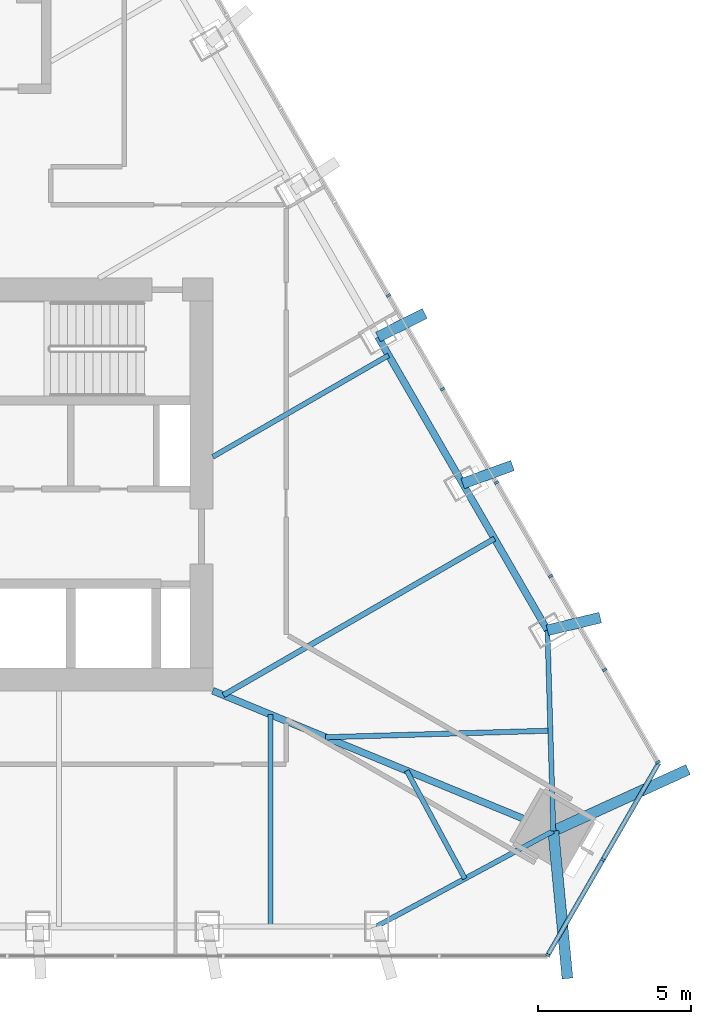
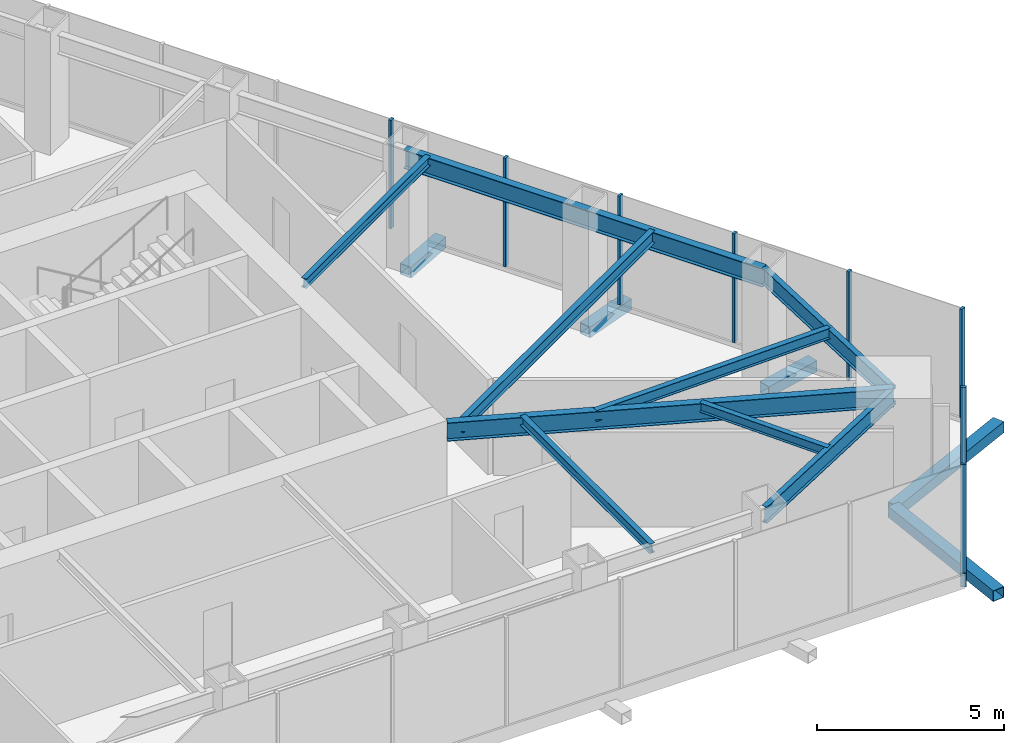
# One storey, part 7 of 14: 14 members, 9 beams, 2 elements without a shape of their own.
"""IFC4 building model written with IfcOpenShell, lengths in metres."""

from ifc_helpers import new_model, si_unit, direction, frame, origin, origin_2d, place, context, subcontext, project, spatial, rectangle, hollow_rectangle, i_section, extrude, material, layer, layer_set, material_profile, profile_set, type_object, element, aggregate, save


model = new_model("IFC4")

# Units and contexts
model_context = context("Model", 3, precision=1e-05, world=origin(), true_north=direction((0.0, 1.0)))
body_context = subcontext(model_context, "Body", "Model", "MODEL_VIEW")
ifc_project = project(units=[si_unit("LENGTHUNIT", "METRE"), si_unit("AREAUNIT", "SQUARE_METRE"), si_unit("VOLUMEUNIT", "CUBIC_METRE"), si_unit("PLANEANGLEUNIT", "RADIAN"), si_unit("MASSUNIT", "GRAM", prefix="KILO")], contexts=[model_context])

# Site, building, storey
site_placement = place(None, origin())
site = spatial("IfcSite", under=ifc_project, at=site_placement, CompositionType="ELEMENT")
building_placement = place(site_placement, origin())
building = spatial("IfcBuilding", under=site, at=building_placement, Name="Firuza Gate Tower and Library", CompositionType="ELEMENT")
storey_placement = place(building_placement, frame((0.0, 0.0, 331.60009765625)))
storey = spatial("IfcBuildingStorey", under=building, at=storey_placement, Name="L81", CompositionType="ELEMENT", Elevation=331.60009765625)

# Curtain wall, members
ifc_material_1 = material(Name="Aluminium 6063-T6", Category="aluminium")
ifc_layer = layer(ifc_material_1, 0.14990234375)
ifc_layer_set = layer_set([ifc_layer], Name="Ceramic screen wall, crown plant")
curtain_wall_type = type_object("IfcCurtainWallType", Name="Ceramic screen wall, crown plant", PredefinedType="NOTDEFINED", material=ifc_layer_set)
placement = place(storey_placement, origin())
curtain_wall_1 = element("IfcCurtainWall", 1, at=placement, inside=storey, type_object=curtain_wall_type, Name="CW6 L81 SE", PredefinedType="NOTDEFINED")
ifc_material_2 = material(Name="Aluminium 6063-T6", Category="aluminium")
ifc_material_profile_1 = material_profile(ifc_material_2, rectangle(XDim=0.14990234375, YDim=0.080078125, at=origin_2d()))
ifc_profile_set_1 = profile_set([ifc_material_profile_1], Name="Aluminium 6063-T6")
member_type_1 = type_object("IfcMemberType", Name="Curtain wall mullion 80x150", PredefinedType="MULLION", material=ifc_profile_set_1)
member_1_placement = place(storey_placement, frame((94.46337890625, 59.60205078125, 0.14990234375), z_axis=(0.0, 0.0, 1.0), x_axis=(-0.866025403784, 0.5, 0.0)))
member_1 = element("IfcMember", 2, at=member_1_placement, type_object=member_type_1, Name="Mullion", PredefinedType="MULLION", context=body_context, shape_type="SweptSolid", body=[
    extrude(rectangle(XDim=0.14990234375, YDim=0.080078125, at=origin_2d()), origin(), (0.0, 0.0, 1.0), 3.550048828125),
])
member_2_placement = place(storey_placement, frame((96.264892578125, 62.72265625, 0.14990234375), z_axis=(0.0, 0.0, 1.0), x_axis=(-0.866025403784, 0.5, 0.0)))
member_2 = element("IfcMember", 3, at=member_2_placement, type_object=member_type_1, Name="Mullion", PredefinedType="MULLION", context=body_context, shape_type="SweptSolid", body=[
    extrude(rectangle(XDim=0.14990234375, YDim=0.080078125, at=origin_2d()), origin(), (0.0, 0.0, 1.0), 3.550048828125),
])

curtain_wall_2 = element("IfcCurtainWall", 4, at=placement, inside=storey, type_object=curtain_wall_type, Name="CW6 L81 E", PredefinedType="NOTDEFINED")
member_3_placement = place(storey_placement, frame((98.066650390625, 65.91259765625, 0.14990234375), z_axis=(0.0, 0.0, 1.0), x_axis=(-0.866025403784, -0.5, 0.0)))
member_3 = element("IfcMember", 5, at=member_3_placement, type_object=member_type_1, Name="Mullion", PredefinedType="MULLION", context=body_context, shape_type="SweptSolid", body=[
    extrude(rectangle(XDim=0.14990234375, YDim=0.080078125, at=origin_2d()), origin(), (0.0, 0.0, 1.0), 3.550048828125),
])
member_4_placement = place(storey_placement, frame((96.319091796875, 68.939453125, 0.14990234375), z_axis=(0.0, 0.0, 1.0), x_axis=(-0.866025403784, -0.5, 0.0)))
member_4 = element("IfcMember", 6, at=member_4_placement, type_object=member_type_1, Name="Mullion", PredefinedType="MULLION", context=body_context, shape_type="SweptSolid", body=[
    extrude(rectangle(XDim=0.14990234375, YDim=0.080078125, at=origin_2d()), origin(), (0.0, 0.0, 1.0), 3.550048828125),
])
member_5_placement = place(storey_placement, frame((94.551513671875, 72.0009765625, 0.14990234375), z_axis=(0.0, 0.0, 1.0), x_axis=(-0.866025403784, -0.5, 0.0)))
member_5 = element("IfcMember", 7, at=member_5_placement, type_object=member_type_1, Name="Mullion", PredefinedType="MULLION", context=body_context, shape_type="SweptSolid", body=[
    extrude(rectangle(XDim=0.14990234375, YDim=0.080078125, at=origin_2d()), origin(), (0.0, 0.0, 1.0), 3.550048828125),
])
member_6_placement = place(storey_placement, frame((92.783935546875, 75.0625, 0.14990234375), z_axis=(0.0, 0.0, 1.0), x_axis=(-0.866025403784, -0.5, 0.0)))
member_6 = element("IfcMember", 8, at=member_6_placement, type_object=member_type_1, Name="Mullion", PredefinedType="MULLION", context=body_context, shape_type="SweptSolid", body=[
    extrude(rectangle(XDim=0.14990234375, YDim=0.080078125, at=origin_2d()), origin(), (0.0, 0.0, 1.0), 3.550048828125),
])
member_7_placement = place(storey_placement, frame((91.016357421875, 78.1240234375, 0.14990234375), z_axis=(0.0, 0.0, 1.0), x_axis=(-0.866025403784, -0.5, 0.0)))
member_7 = element("IfcMember", 9, at=member_7_placement, type_object=member_type_1, Name="Mullion", PredefinedType="MULLION", context=body_context, shape_type="SweptSolid", body=[
    extrude(rectangle(XDim=0.14990234375, YDim=0.080078125, at=origin_2d()), origin(), (0.0, 0.0, 1.0), 3.550048828125),
])
member_8_placement = place(storey_placement, frame((89.248779296875, 81.185546875, 0.14990234375), z_axis=(0.0, 0.0, 1.0), x_axis=(-0.866025403784, -0.5, 0.0)))
member_8 = element("IfcMember", 10, at=member_8_placement, type_object=member_type_1, Name="Mullion", PredefinedType="MULLION", context=body_context, shape_type="SweptSolid", body=[
    extrude(rectangle(XDim=0.14990234375, YDim=0.080078125, at=origin_2d()), origin(), (0.0, 0.0, 1.0), 3.550048828125),
])
aggregate(curtain_wall_2, [member_3, member_4, member_5, member_6, member_7, member_8])

# Member
ifc_material_3 = material(Name="Aluminium 6063-T6", Category="aluminium")
ifc_material_profile_2 = material_profile(ifc_material_3, rectangle(XDim=0.14990234375, YDim=0.449951171875, at=origin_2d()))
ifc_profile_set_2 = profile_set([ifc_material_profile_2], Name="Aluminium 6063-T6")
member_type_2 = type_object("IfcMemberType", Name="Curtain wall transom 450x150", PredefinedType="USERDEFINED", material=ifc_profile_set_2)
member_9_placement = place(storey_placement, frame((94.443359375, 59.5673828125, -0.0751953125), z_axis=(0.499991211061, 0.866030478021, 0.0), x_axis=(-0.866030478021, 0.499991211061, 0.0)))
member_9 = element("IfcMember", 11, at=member_9_placement, type_object=member_type_2, Name="Transom", ObjectType="TRANSOM", PredefinedType="USERDEFINED", context=body_context, shape_type="SweptSolid", body=[
    extrude(rectangle(XDim=0.14990234375, YDim=0.449951171875, at=origin_2d()), origin(), (0.0, 0.0, 1.0), 7.286865234375),
])

aggregate(curtain_wall_1, [member_1, member_2, member_9])

# Members
ifc_material_4 = material(Name="Steel S355", Category="steel")
ifc_material_profile_3 = material_profile(ifc_material_4, hollow_rectangle(XDim=0.355712890625, YDim=0.355712890625, WallThickness=0.014892578125, at=origin_2d()))
ifc_profile_set_3 = profile_set([ifc_material_profile_3], Name="Steel S355")
member_type_3 = type_object("IfcMemberType", Name="HSS356x356x16 Lattice node tie", PredefinedType="BRACE", material=ifc_profile_set_3)
member_10_placement = place(storey_placement, frame((88.90625, 79.82861328125, -0.320068359375), z_axis=(0.893941059043, 0.448184541185, 0.0), x_axis=(-0.448184541185, 0.893941059043, 0.0)))
element("IfcMember", 12, at=member_10_placement, inside=storey, type_object=member_type_3, Name="Lattice node tie E L81 605", PredefinedType="BRACE", context=body_context, shape_type="SweptSolid", body=[
    extrude(hollow_rectangle(XDim=0.355712890625, YDim=0.355712890625, WallThickness=0.014892578125, at=origin_2d()), origin(), (0.0, 0.0, 1.0), 1.70947265625),
])
member_11_placement = place(storey_placement, frame((91.677734375, 75.0283203125, -0.320068359375), z_axis=(0.939830438322, 0.341641255124, 0.0), x_axis=(-0.341641255124, 0.939830438322, 0.0)))
element("IfcMember", 13, at=member_11_placement, inside=storey, type_object=member_type_3, Name="Lattice node tie E L81 606", PredefinedType="BRACE", context=body_context, shape_type="SweptSolid", body=[
    extrude(hollow_rectangle(XDim=0.355712890625, YDim=0.355712890625, WallThickness=0.014892578125, at=origin_2d()), origin(), (0.0, 0.0, 1.0), 1.73291015625),
])
member_12_placement = place(storey_placement, frame((94.44921875, 70.22802734375, -0.320068359375), z_axis=(0.972041177179, 0.234810455196, 0.0), x_axis=(-0.234810455196, 0.972041177179, 0.0)))
element("IfcMember", 14, at=member_12_placement, inside=storey, type_object=member_type_3, Name="Lattice node tie E L81 607", PredefinedType="BRACE", context=body_context, shape_type="SweptSolid", body=[
    extrude(hollow_rectangle(XDim=0.355712890625, YDim=0.355712890625, WallThickness=0.014892578125, at=origin_2d()), origin(), (0.0, 0.0, 1.0), 1.779052734375),
])
member_13_placement = place(storey_placement, frame((94.64111328125, 63.66015625, -0.320068359375), z_axis=(0.909817046019, 0.415009569496, 0.0), x_axis=(-0.415009569496, 0.909817046019, 0.0)))
element("IfcMember", 15, at=member_13_placement, inside=storey, type_object=member_type_3, Name="Lattice node tie E L81 608", PredefinedType="BRACE", context=body_context, shape_type="SweptSolid", body=[
    extrude(hollow_rectangle(XDim=0.355712890625, YDim=0.355712890625, WallThickness=0.014892578125, at=origin_2d()), origin(), (0.0, 0.0, 1.0), 4.84619140625),
])
member_14_placement = place(storey_placement, frame((94.64111328125, 63.66015625, -0.320068359375), z_axis=(0.095512746981, -0.995428206936, 0.0), x_axis=(0.995428206936, 0.095512746981, 0.0)))
element("IfcMember", 16, at=member_14_placement, inside=storey, type_object=member_type_3, Name="Lattice node tie S L81 616", PredefinedType="BRACE", context=body_context, shape_type="SweptSolid", body=[
    extrude(hollow_rectangle(XDim=0.355712890625, YDim=0.355712890625, WallThickness=0.014892578125, at=origin_2d()), origin(), (0.0, 0.0, 1.0), 4.846435546875),
])

# Beams
ifc_material_5 = material(Name="Steel S355", Category="steel")
ifc_material_profile_4 = material_profile(ifc_material_5, i_section(OverallWidth=0.1650390625, OverallDepth=0.31005859375, WebThickness=0.005859375, FlangeThickness=0.009765625, at=origin_2d()))
ifc_profile_set_4 = profile_set([ifc_material_profile_4], Name="Steel S355")
beam_type_1 = type_object("IfcBeamType", Name="W310x39 Floor beam", PredefinedType="JOIST", material=ifc_profile_set_4)
beam_1_placement = place(storey_placement, frame((85.392822265625, 60.54248046875, 3.544921875), z_axis=(0.0, 1.0, 0.0), x_axis=(-1.0, 0.0, 0.0)))
element("IfcBeam", 17, at=beam_1_placement, inside=storey, type_object=beam_type_1, Name="Floor beam L81 s23", PredefinedType="JOIST", context=body_context, shape_type="SweptSolid", body=[
    extrude(i_section(OverallWidth=0.1650390625, OverallDepth=0.31005859375, WebThickness=0.005859375, FlangeThickness=0.009765625, at=origin_2d()), origin(), (0.0, 0.0, 1.0), 6.927734375),
])
beam_2_placement = place(storey_placement, frame((91.749267578125, 62.101318359375, 3.544921875), z_axis=(-0.474502137852, 0.880254350273, 0.0), x_axis=(-0.880254350273, -0.474502137852, 0.0)))
element("IfcBeam", 18, at=beam_2_placement, inside=storey, type_object=beam_type_1, Name="Floor beam L81 s30", PredefinedType="JOIST", context=body_context, shape_type="SweptSolid", body=[
    extrude(i_section(OverallWidth=0.1650390625, OverallDepth=0.31005859375, WebThickness=0.005859375, FlangeThickness=0.009765625, at=origin_2d()), origin(), (0.0, 0.0, 1.0), 4.016357421875),
])
beam_3_placement = place(storey_placement, frame((89.252685546875, 79.228515625, 3.544921875), z_axis=(-0.866027065173, -0.499997122379, 0.0), x_axis=(0.499997122379, -0.866027065173, 0.0)))
element("IfcBeam", 19, at=beam_3_placement, inside=storey, type_object=beam_type_1, Name="Floor beam L81 s51", PredefinedType="JOIST", context=body_context, shape_type="SweptSolid", body=[
    extrude(i_section(OverallWidth=0.1650390625, OverallDepth=0.31005859375, WebThickness=0.005859375, FlangeThickness=0.009765625, at=origin_2d()), origin(), (0.0, 0.0, 1.0), 6.642578125),
])
ifc_material_6 = material(Name="Steel S355", Category="steel")
ifc_material_profile_5 = material_profile(ifc_material_6, i_section(OverallWidth=0.1708984375, OverallDepth=0.35498046875, WebThickness=0.007080078125, FlangeThickness=0.01171875, at=origin_2d()))
ifc_profile_set_5 = profile_set([ifc_material_profile_5], Name="Steel S355")
beam_type_2 = type_object("IfcBeamType", Name="W360x51 Floor beam", PredefinedType="JOIST", material=ifc_profile_set_5)
beam_4_placement = place(storey_placement, frame((94.545166015625, 66.944091796875, 3.5224609375), z_axis=(-0.999573472059, -0.029204005824, 0.0), x_axis=(0.029204005824, -0.999573472059, 0.0)))
element("IfcBeam", 20, at=beam_4_placement, inside=storey, type_object=beam_type_2, Name="Floor beam L81 s40", PredefinedType="JOIST", context=body_context, shape_type="SweptSolid", body=[
    extrude(i_section(OverallWidth=0.1708984375, OverallDepth=0.35498046875, WebThickness=0.007080078125, FlangeThickness=0.01171875, at=origin_2d()), origin(), (0.0, 0.0, 1.0), 7.356689453125),
])
ifc_material_7 = material(Name="Steel S355", Category="steel")
ifc_material_profile_6 = material_profile(ifc_material_7, i_section(OverallWidth=0.177978515625, OverallDepth=0.406982421875, WebThickness=0.0078125, FlangeThickness=0.0126953125, at=origin_2d()))
ifc_profile_set_6 = profile_set([ifc_material_profile_6], Name="Steel S355")
beam_type_3 = type_object("IfcBeamType", Name="W410x60 Floor beam", PredefinedType="JOIST", material=ifc_profile_set_6)
beam_5_placement = place(storey_placement, frame((92.717041015625, 73.228271484375, 3.496337890625), z_axis=(-0.866028396804, -0.499994815902, 0.0), x_axis=(0.499994815902, -0.866028396804, 0.0)))
element("IfcBeam", 21, at=beam_5_placement, inside=storey, type_object=beam_type_3, Name="Floor beam L81 s50", PredefinedType="JOIST", context=body_context, shape_type="SweptSolid", body=[
    extrude(i_section(OverallWidth=0.177978515625, OverallDepth=0.406982421875, WebThickness=0.0078125, FlangeThickness=0.0126953125, at=origin_2d()), origin(), (0.0, 0.0, 1.0), 10.2421875),
])
ifc_material_8 = material(Name="Steel S355", Category="steel")
ifc_material_profile_7 = material_profile(ifc_material_8, i_section(OverallWidth=0.166015625, OverallDepth=0.534912109375, WebThickness=0.01025390625, FlangeThickness=0.0166015625, at=origin_2d()))
ifc_profile_set_7 = profile_set([ifc_material_profile_7], Name="Steel S355")
beam_type_4 = type_object("IfcBeamType", Name="W530x85 Edge beam", PredefinedType="SPANDREL", material=ifc_profile_set_7)
for number, where, z_axis, x_axis, name in (
    (22, (88.857177734375, 60.54248046875, 3.432373046875), (0.880264612771, 0.474483099282, 0.0), (-0.474483099282, 0.880264612771, 0.0), "Edge beam L81 e30"),
    (23, (94.64111328125, 63.66015625, 3.432373046875), (-0.029204696052, 0.999573451893, 0.0), (-0.999573451893, -0.029204696052, 0.0), "Edge beam L81 e40"),
):
    element("IfcBeam", number, at=place(storey_placement, frame(where, z_axis=z_axis, x_axis=x_axis)), inside=storey, type_object=beam_type_4, Name=name, PredefinedType="SPANDREL", context=body_context, shape_type="SweptSolid", body=[
        extrude(i_section(OverallWidth=0.166015625, OverallDepth=0.534912109375, WebThickness=0.01025390625, FlangeThickness=0.0166015625, at=origin_2d()), origin(), (0.0, 0.0, 1.0), 6.570556640625),
    ])
ifc_material_9 = material(Name="Steel S355", Category="steel")
ifc_material_profile_8 = material_profile(ifc_material_9, i_section(OverallWidth=0.22802734375, OverallDepth=0.60302734375, WebThickness=0.010498046875, FlangeThickness=0.014892578125, at=origin_2d()))
ifc_profile_set_8 = profile_set([ifc_material_profile_8], Name="Steel S355")
beam_type_5 = type_object("IfcBeamType", Name="W610x101 Girder", PredefinedType="BEAM", material=ifc_profile_set_8)
beam_6_placement = place(storey_placement, frame((94.64111328125, 63.66015625, 3.3984375), z_axis=(-0.92461010604, 0.380914887881, 0.0), x_axis=(-0.380914887881, -0.92461010604, 0.0)))
element("IfcBeam", 24, at=beam_6_placement, inside=storey, type_object=beam_type_5, Name="Girder L81 gSE", PredefinedType="BEAM", context=body_context, shape_type="SweptSolid", body=[
    extrude(i_section(OverallWidth=0.22802734375, OverallDepth=0.60302734375, WebThickness=0.010498046875, FlangeThickness=0.014892578125, at=origin_2d()), origin(), (0.0, 0.0, 1.0), 12.049560546875),
])
ifc_material_10 = material(Name="Steel S355", Category="steel")
ifc_material_profile_9 = material_profile(ifc_material_10, i_section(OverallWidth=0.22900390625, OverallDepth=0.612060546875, WebThickness=0.011962890625, FlangeThickness=0.01953125, at=origin_2d()))
ifc_profile_set_9 = profile_set([ifc_material_profile_9], Name="Steel S355")
beam_type_6 = type_object("IfcBeamType", Name="W610x125 Edge beam", PredefinedType="SPANDREL", material=ifc_profile_set_9)
beam_7_placement = place(storey_placement, frame((94.44921875, 70.22802734375, 3.393798828125), z_axis=(-0.500004591975, 0.86602275259, 0.0), x_axis=(-0.86602275259, -0.500004591975, 0.0)))
element("IfcBeam", 25, at=beam_7_placement, inside=storey, type_object=beam_type_6, Name="Edge beam L81 e50", PredefinedType="SPANDREL", context=body_context, shape_type="SweptSolid", body=[
    extrude(i_section(OverallWidth=0.22900390625, OverallDepth=0.612060546875, WebThickness=0.011962890625, FlangeThickness=0.01953125, at=origin_2d()), origin(), (0.0, 0.0, 1.0), 11.0859375),
])

save(model, "model.ifc")
